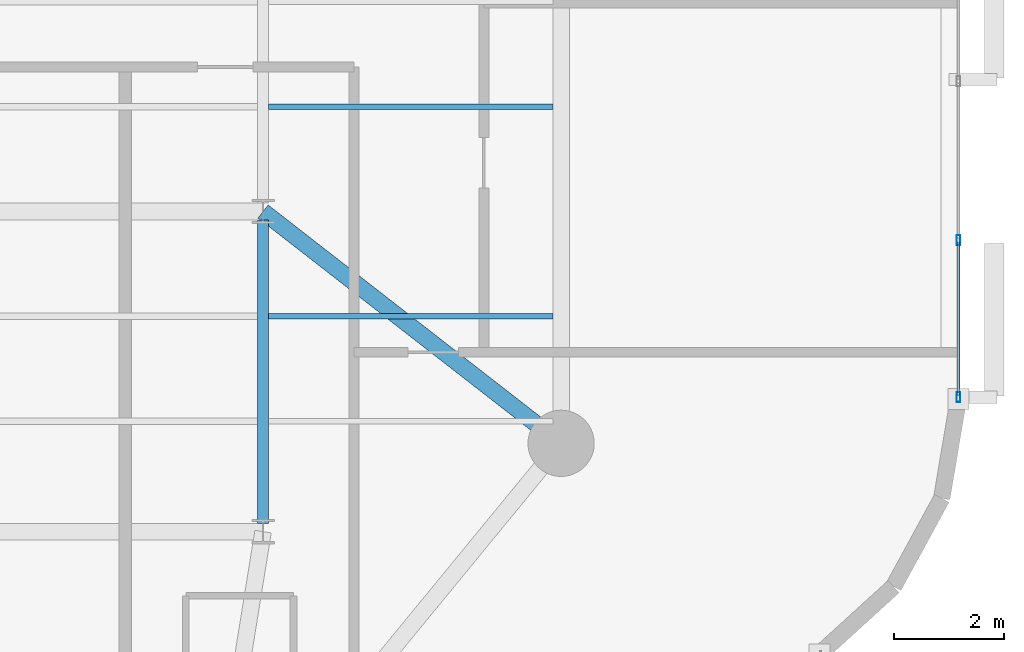
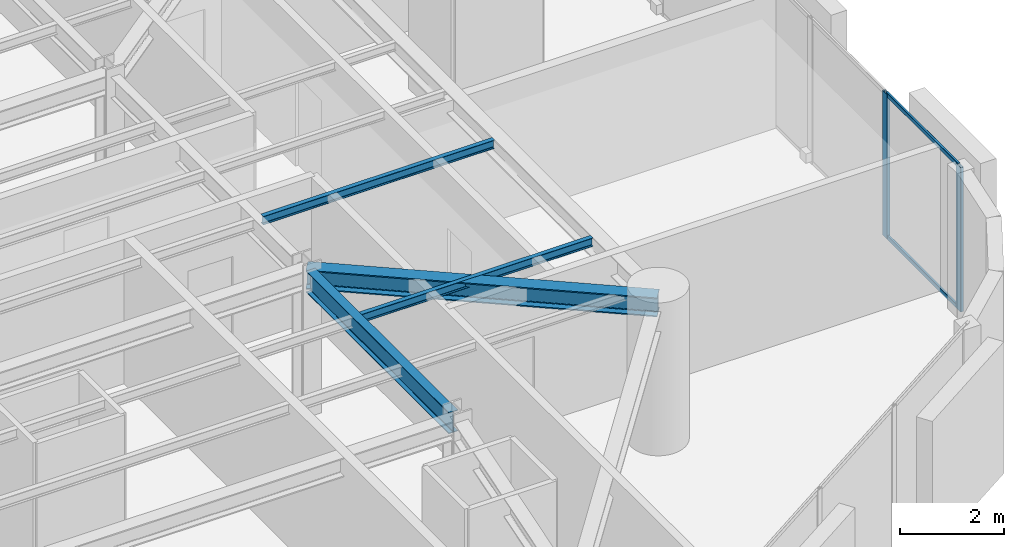
# One storey, part 3 of 15: 4 beams, 4 members, 1 element without a shape of its own.
"""IFC4 building model written with IfcOpenShell, lengths in metres."""

from ifc_helpers import new_model, si_unit, direction, frame, origin, origin_2d, place, context, subcontext, project, spatial, hollow_rectangle, i_section, extrude, material, layer, layer_set, material_profile, profile_set, type_object, element, aggregate, save


model = new_model("IFC4")

# Units and contexts
model_context = context("Model", 3, precision=1e-05, world=origin(), true_north=direction((0.0, 1.0)))
body_context = subcontext(model_context, "Body", "Model", "MODEL_VIEW")
ifc_project = project(units=[si_unit("LENGTHUNIT", "METRE"), si_unit("AREAUNIT", "SQUARE_METRE"), si_unit("VOLUMEUNIT", "CUBIC_METRE"), si_unit("PLANEANGLEUNIT", "RADIAN"), si_unit("MASSUNIT", "GRAM", prefix="KILO")], contexts=[model_context])

# Site, building, storey
site_placement = place(None, origin())
site = spatial("IfcSite", under=ifc_project, at=site_placement, CompositionType="ELEMENT")
building_placement = place(site_placement, origin())
building = spatial("IfcBuilding", under=site, at=building_placement, Name="An Khanh Terracotta Commons", CompositionType="ELEMENT")
storey_placement = place(building_placement, frame((0.0, 0.0, 147.39990234375)))
storey = spatial("IfcBuildingStorey", under=building, at=storey_placement, Name="L38", CompositionType="ELEMENT", Elevation=147.39990234375)

# Beams
ifc_material_1 = material(Name="Steel S355J2", Category="steel")
ifc_material_profile_1 = material_profile(ifc_material_1, i_section(OverallWidth=0.300048828125, OverallDepth=0.449951171875, WebThickness=0.013916015625, FlangeThickness=0.02587890625, FilletRadius=0.027099609375, at=origin_2d()), Name="HEB450")
ifc_profile_set_1 = profile_set([ifc_material_profile_1], Name="Steel S355J2")
beam_type_1 = type_object("IfcBeamType", Name="BM-HEB450", PredefinedType="BEAM", material=ifc_profile_set_1)
beam_1_placement = place(storey_placement, frame((55.800048828125, 16.0, 3.175048828125), z_axis=(-0.789363746927, 0.61392578952, 0.0), x_axis=(-0.61392578952, -0.789363746927, 0.0)))
element("IfcBeam", 1, at=beam_1_placement, inside=storey, type_object=beam_type_1, Name="L38 Mega-Column Tie Girder 3", PredefinedType="BEAM", context=body_context, shape_type="SweptSolid", body=[
    extrude(i_section(OverallWidth=0.300048828125, OverallDepth=0.449951171875, WebThickness=0.013916015625, FlangeThickness=0.02587890625, FilletRadius=0.027099609375, at=origin_2d()), origin(), (0.0, 0.0, 1.0), 6.841064453125),
])
ifc_material_profile_2 = material_profile(ifc_material_1, i_section(OverallWidth=0.10009765625, OverallDepth=0.199951171875, WebThickness=0.005615234375, FlangeThickness=0.008544921875, FilletRadius=0.011962890625, at=origin_2d()), Name="IPE200")
ifc_profile_set_2 = profile_set([ifc_material_profile_2], Name="Steel S355J2")
beam_type_2 = type_object("IfcBeamType", Name="BM-IPE200", PredefinedType="JOIST", material=ifc_profile_set_2)
for number, where, z_axis, x_axis, name in (
    (2, (50.5, 18.300048828125, 3.300048828125), (1.0, 0.0, 0.0), (0.0, 1.0, 0.0), "L38 Riverfront Composite Joist 2"),
    (3, (50.5, 22.10009765625, 3.300048828125), (1.0, 0.0, 0.0), (0.0, 1.0, 0.0), "L38 Riverfront Composite Joist 3"),
):
    element("IfcBeam", number, at=place(storey_placement, frame(where, z_axis=z_axis, x_axis=x_axis)), inside=storey, type_object=beam_type_2, Name=name, PredefinedType="JOIST", context=body_context, shape_type="SweptSolid", body=[
        extrude(i_section(OverallWidth=0.10009765625, OverallDepth=0.199951171875, WebThickness=0.005615234375, FlangeThickness=0.008544921875, FilletRadius=0.011962890625, at=origin_2d()), origin(), (0.0, 0.0, 1.0), 5.14990234375),
    ])
ifc_material_profile_3 = material_profile(ifc_material_1, i_section(OverallWidth=0.199951171875, OverallDepth=0.5, WebThickness=0.01025390625, FlangeThickness=0.01611328125, FilletRadius=0.02099609375, at=origin_2d()), Name="IPE500")
ifc_profile_set_3 = profile_set([ifc_material_profile_3], Name="Steel S355J2")
beam_type_3 = type_object("IfcBeamType", Name="BM-IPE500", PredefinedType="BEAM", material=ifc_profile_set_3)
beam_2_placement = place(storey_placement, frame((50.39990234375, 14.550048828125, 3.150146484375), z_axis=(0.0, 1.0, 0.0), x_axis=(-1.0, 0.0, 0.0)))
element("IfcBeam", 4, at=beam_2_placement, inside=storey, type_object=beam_type_3, Name="L38 East Spine Girder 1", PredefinedType="BEAM", context=body_context, shape_type="SweptSolid", body=[
    extrude(i_section(OverallWidth=0.199951171875, OverallDepth=0.5, WebThickness=0.01025390625, FlangeThickness=0.01611328125, FilletRadius=0.02099609375, at=origin_2d()), origin(), (0.0, 0.0, 1.0), 5.5),
])

# Curtain wall, members
ifc_material_2 = material(Name="Anodised Aluminium 6063-T6", Category="aluminium")
ifc_layer = layer(ifc_material_2, 0.2099609375, Name="Anodised Aluminium 6063-T6")
ifc_layer_set = layer_set([ifc_layer], Name="Anodised Aluminium 6063-T6")
curtain_wall_type = type_object("IfcCurtainWallType", Name="CW-SYS-03", PredefinedType="USERDEFINED", material=ifc_layer_set)
curtain_wall_placement = place(storey_placement, origin())
curtain_wall = element("IfcCurtainWall", 5, at=curtain_wall_placement, inside=storey, type_object=curtain_wall_type, Name="L38 CW-03 Unitised Curtain Wall CW-L38-12", ObjectType="UNITISED CURTAIN WALL", PredefinedType="USERDEFINED")
ifc_material_profile_4 = material_profile(ifc_material_2, hollow_rectangle(XDim=0.070068359375, YDim=0.179931640625, WallThickness=0.00390625, InnerFilletRadius=0.00390625, OuterFilletRadius=0.008056640625, at=origin_2d()), Name="RHS180x70x4")
ifc_profile_set_4 = profile_set([ifc_material_profile_4], Name="Anodised Aluminium 6063-T6")
member_type_1 = type_object("IfcMemberType", Name="CWM-RHS180x70x4", PredefinedType="MULLION", material=ifc_profile_set_4)
member_1_placement = place(storey_placement, frame((63.0, 16.8349609375, 0.0), z_axis=(0.0, 0.0, 1.0), x_axis=(-1.0, 0.0, 0.0)))
member_1 = element("IfcMember", 6, at=member_1_placement, type_object=member_type_1, Name="CW-03 mullion 1", PredefinedType="MULLION", context=body_context, shape_type="SweptSolid", body=[
    extrude(hollow_rectangle(XDim=0.070068359375, YDim=0.179931640625, WallThickness=0.00390625, InnerFilletRadius=0.00390625, OuterFilletRadius=0.008056640625, at=origin_2d()), origin(), (0.0, 0.0, 1.0), 3.400146484375),
])
member_2_placement = place(storey_placement, frame((63.0, 19.679931640625, 0.0), z_axis=(0.0, 0.0, 1.0), x_axis=(-1.0, 0.0, 0.0)))
member_2 = element("IfcMember", 7, at=member_2_placement, type_object=member_type_1, Name="CW-03 mullion 2", PredefinedType="MULLION", context=body_context, shape_type="SweptSolid", body=[
    extrude(hollow_rectangle(XDim=0.070068359375, YDim=0.179931640625, WallThickness=0.00390625, InnerFilletRadius=0.00390625, OuterFilletRadius=0.008056640625, at=origin_2d()), origin(), (0.0, 0.0, 1.0), 3.400146484375),
])
ifc_material_profile_5 = material_profile(ifc_material_2, hollow_rectangle(XDim=0.050048828125, YDim=0.10009765625, WallThickness=0.003173828125, InnerFilletRadius=0.003173828125, OuterFilletRadius=0.00634765625, at=origin_2d()), Name="RHS100x50x3.2")
ifc_profile_set_5 = profile_set([ifc_material_profile_5], Name="Anodised Aluminium 6063-T6")
member_type_2 = type_object("IfcMemberType", Name="CWT-RHS100x50x3.2", PredefinedType="USERDEFINED", material=ifc_profile_set_5)
member_3_placement = place(storey_placement, frame((63.0, 16.8701171875, 0.025146484375), z_axis=(0.0, 1.0, 0.0), x_axis=(-1.0, 0.0, 0.0)))
member_3 = element("IfcMember", 8, at=member_3_placement, type_object=member_type_2, Name="CW-03 transom 1.1", ObjectType="TRANSOM", PredefinedType="USERDEFINED", context=body_context, shape_type="SweptSolid", body=[
    extrude(hollow_rectangle(XDim=0.050048828125, YDim=0.10009765625, WallThickness=0.003173828125, InnerFilletRadius=0.003173828125, OuterFilletRadius=0.00634765625, at=origin_2d()), origin(), (0.0, 0.0, 1.0), 2.77490234375),
])
member_4_placement = place(storey_placement, frame((63.0, 16.8701171875, 3.375), z_axis=(0.0, 1.0, 0.0), x_axis=(-1.0, 0.0, 0.0)))
member_4 = element("IfcMember", 9, at=member_4_placement, type_object=member_type_2, Name="CW-03 transom 1.2", ObjectType="TRANSOM", PredefinedType="USERDEFINED", context=body_context, shape_type="SweptSolid", body=[
    extrude(hollow_rectangle(XDim=0.050048828125, YDim=0.10009765625, WallThickness=0.003173828125, InnerFilletRadius=0.003173828125, OuterFilletRadius=0.00634765625, at=origin_2d()), origin(), (0.0, 0.0, 1.0), 2.77490234375),
])
aggregate(curtain_wall, [member_1, member_2, member_3, member_4])

save(model, "model.ifc")
